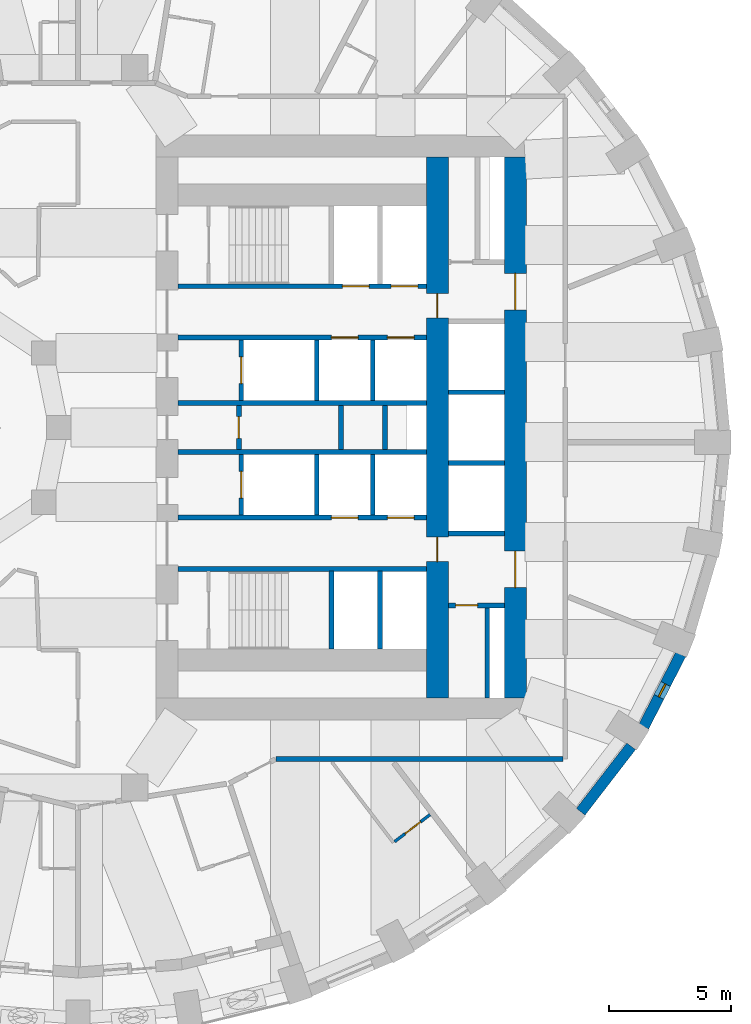
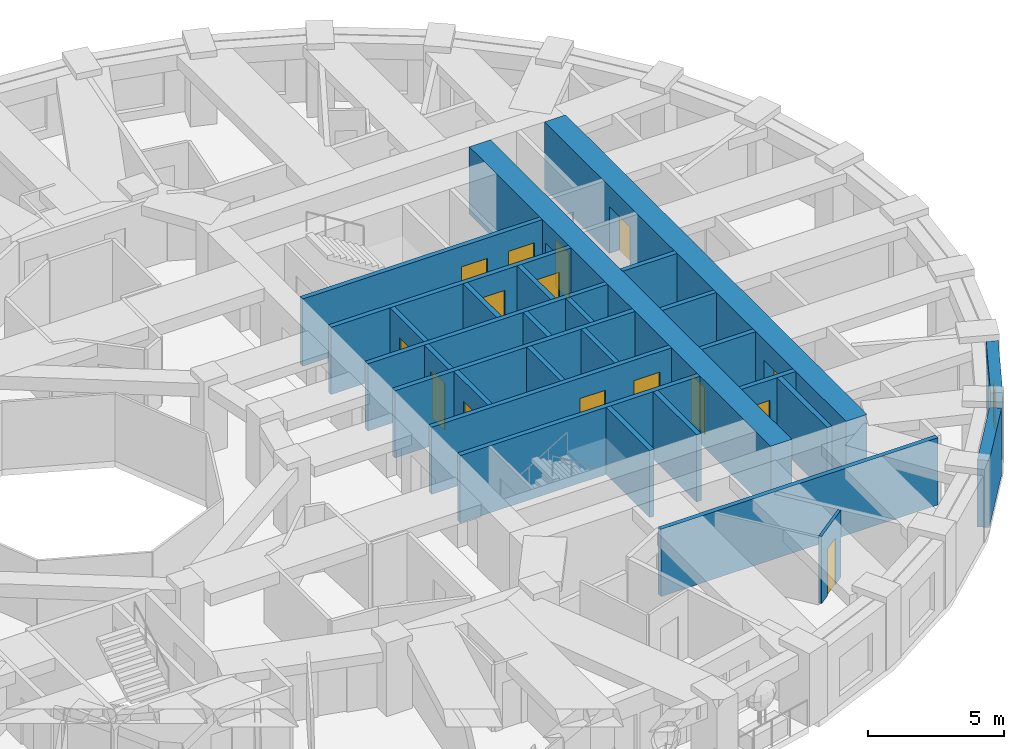
# One storey, part 6 of 13: 28 walls, 15 doors, 1 window, 16 openings.
"""IFC4 building model written with IfcOpenShell, lengths in metres."""

import ifcopenshell
import ifcopenshell.guid

model = None  # the IFC model being written
_history = None  # IfcOwnerHistory: only IFC2X3 demands one
_inside = {}  # id of a spatial element -> (the spatial element, [elements in it])
_under = {}  # id of a project, library or spatial element -> (it, [spatial elements below it])
_declared = {}  # id of a project -> (the project, [libraries it declares])
_typed = {}  # id of a type object -> (the type object, [elements of that type])
_made_of = {}  # id of a material, layer set ... -> (it, [elements and type objects made of it])


def new_model(schema):
    """Start an empty IFC model of exactly this schema.

    Asked for "IFC4X3", IfcOpenShell would pick the latest addendum, in which some entities
    have other attributes; the version numbers below select the first issue.
    IFC2X3 requires an IfcOwnerHistory on every rooted entity: one is made here for all.
    """
    global model, _history
    if schema == "IFC4X3":
        model = ifcopenshell.file(schema_version=(4, 3, 0, 0))
    else:
        model = ifcopenshell.file(schema=schema)
    _inside.clear()
    _under.clear()
    _declared.clear()
    _typed.clear()
    _made_of.clear()
    _history = None
    if model.schema == "IFC2X3":
        org = make("IfcOrganization", Name="unknown")
        user = make(
            "IfcPersonAndOrganization",
            ThePerson=make("IfcPerson", FamilyName="unknown"),
            TheOrganization=org,
        )
        app = make(
            "IfcApplication",
            ApplicationDeveloper=org,
            Version="unknown",
            ApplicationFullName="unknown",
            ApplicationIdentifier="unknown",
        )
        _history = make(
            "IfcOwnerHistory",
            OwningUser=user,
            OwningApplication=app,
            ChangeAction="ADDED",
            CreationDate=0,
        )
    return model


def make(cls, **values):
    """One entity of the class cls with the attributes given. An attribute that is None is left unset."""
    return model.create_entity(
        cls, **{name: value for name, value in values.items() if value is not None}
    )


def rooted(cls, **values):
    """An entity with a GlobalId (a new one), such as an element, a storey or a relation."""
    return make(cls, GlobalId=ifcopenshell.guid.new(), OwnerHistory=_history, **values)


def si_unit(unit_type, name, prefix=None):
    """IfcSIUnit, for example si_unit("LENGTHUNIT", "METRE", prefix="MILLI")."""
    return make("IfcSIUnit", UnitType=unit_type, Prefix=prefix, Name=name)


def assignment(units):
    """IfcUnitAssignment: the units of a project."""
    return None if units is None else make("IfcUnitAssignment", Units=units)


def point(xyz):
    """IfcCartesianPoint."""
    return None if xyz is None else make("IfcCartesianPoint", Coordinates=xyz)


def direction(xyz):
    """IfcDirection."""
    return None if xyz is None else make("IfcDirection", DirectionRatios=xyz)


def frame(location, z_axis=None, x_axis=None):
    """IfcAxis2Placement3D, a coordinate frame: its origin and axes. An axis left out is left unset."""
    return make(
        "IfcAxis2Placement3D",
        Location=point(location),
        Axis=direction(z_axis),
        RefDirection=direction(x_axis),
    )


def frame_2d(location, x_axis=None):
    """IfcAxis2Placement2D, a coordinate frame in the plane: its origin and x axis."""
    return make(
        "IfcAxis2Placement2D", Location=point(location), RefDirection=direction(x_axis)
    )


def origin():
    """The frame at (0, 0, 0) with its axes left unset."""
    return frame((0.0, 0.0, 0.0))


def place(relative_to, where):
    """IfcLocalPlacement: puts the frame where relative to a parent placement (None: the world)."""
    return make(
        "IfcLocalPlacement", PlacementRelTo=relative_to, RelativePlacement=where
    )


def context(
    kind, dimensions, precision=None, world=None, true_north=None, identifier=None
):
    """IfcGeometricRepresentationContext, for example the 3D "Model" context."""
    return make(
        "IfcGeometricRepresentationContext",
        ContextIdentifier=identifier,
        ContextType=kind,
        CoordinateSpaceDimension=dimensions,
        Precision=precision,
        WorldCoordinateSystem=world,
        TrueNorth=true_north,
    )


def subcontext(parent, identifier, kind, view, scale=None):
    """IfcGeometricRepresentationSubContext, for example "Body" below "Model"."""
    return make(
        "IfcGeometricRepresentationSubContext",
        ContextIdentifier=identifier,
        ContextType=kind,
        ParentContext=parent,
        TargetScale=scale,
        TargetView=view,
    )


def project(units=None, contexts=None):
    """IfcProject with its units and contexts."""
    return rooted(
        "IfcProject",
        Name="project",
        RepresentationContexts=contexts,
        UnitsInContext=assignment(units),
    )


def spatial(cls, under=None, at=None, **own):
    """A site, building, storey or space (cls), placed at a placement, below another one or the project."""
    s = rooted(cls, ObjectPlacement=at, **own)
    if under is not None:
        _under.setdefault(under.id(), (under, []))[1].append(s)
    return s


def profile(cls, at=None, kind="AREA", **sizes):
    """A parametric profile (cls). Its sizes go by their IFC names, for example OverallWidth=200.0."""
    return make(cls, ProfileType=kind, Position=at, **sizes)


def rectangle(**sizes):
    """IfcRectangleProfileDef."""
    return profile("IfcRectangleProfileDef", **sizes)


def extrude(swept, where, along, depth):
    """IfcExtrudedAreaSolid: the profile swept, set in the frame where, extruded along a direction by depth."""
    return make(
        "IfcExtrudedAreaSolid",
        SweptArea=swept,
        Position=where,
        ExtrudedDirection=direction(along),
        Depth=depth,
    )


def shape(context_of_items, identifier, shape_type, items):
    """IfcShapeRepresentation: the items that make up one representation, for example the "Body"."""
    return make(
        "IfcShapeRepresentation",
        ContextOfItems=context_of_items,
        RepresentationIdentifier=identifier,
        RepresentationType=shape_type,
        Items=items,
    )


def material(Name=None, Category=None):
    """IfcMaterial."""
    return make("IfcMaterial", Name=Name, Category=Category)


def layer(
    of_material, thickness, ventilated=None, Name=None, Category=None, Priority=None
):
    """IfcMaterialLayer: one layer of a wall or slab, of a material (None: an air gap)."""
    return make(
        "IfcMaterialLayer",
        Material=of_material,
        LayerThickness=thickness,
        IsVentilated=ventilated,
        Name=Name,
        Category=Category,
        Priority=Priority,
    )


def layer_set(layers, Name=None):
    """IfcMaterialLayerSet."""
    return make("IfcMaterialLayerSet", MaterialLayers=layers, LayerSetName=Name)


def made_of(thing, what):
    """Note that an element or type object is made of a material, layer set ...; save() writes the relation."""
    if what is not None:
        _made_of.setdefault(what.id(), (what, []))[1].append(thing)
    return thing


def type_object(cls, material=None, **own):
    """A type object (cls), such as IfcWallType, which elements share."""
    return made_of(rooted(cls, **own), material)


def element(
    cls,
    number,
    at=None,
    inside=None,
    cuts=None,
    type_object=None,
    material=None,
    context=None,
    identifier="Body",
    shape_type=None,
    held_by="IfcProductDefinitionShape",
    body=None,
    shapes=None,
    **own,
):
    """One element of the class cls, such as IfcWall. Its Tag is "e" and its number.

    at: its placement. inside: the storey or other place that contains it. cuts: it is an
    opening in that element (IfcRelVoidsElement). A single representation is given by context,
    identifier, shape_type and body (its items); several are given by shapes. held_by: the class
    of the entity that holds the representations. save() writes the other relations.
    """
    e = rooted(cls, Tag="e%d" % number, ObjectPlacement=at, **own)
    if body is not None:
        shapes = [shape(context, identifier, shape_type, body)]
    if shapes is not None:
        e.Representation = make(held_by, Representations=shapes)
    if inside is not None:
        _inside.setdefault(inside.id(), (inside, []))[1].append(e)
    if cuts is not None:
        rooted(
            "IfcRelVoidsElement", RelatingBuildingElement=cuts, RelatedOpeningElement=e
        )
    if type_object is not None:
        _typed.setdefault(type_object.id(), (type_object, []))[1].append(e)
    return made_of(e, material)


def fill(opening, filler):
    """IfcRelFillsElement: the door or window that sits in an opening."""
    return rooted(
        "IfcRelFillsElement",
        RelatingOpeningElement=opening,
        RelatedBuildingElement=filler,
    )


def aggregate(whole, parts):
    """IfcRelAggregates: a whole, such as a stair, and the parts it consists of."""
    return rooted("IfcRelAggregates", RelatingObject=whole, RelatedObjects=parts)


def save(model, path):
    """Write the relations noted so far, then the file.

    IfcRelAggregates (storeys below a building ...), IfcRelContainedInSpatialStructure (elements
    in a storey), IfcRelDefinesByType, IfcRelAssociatesMaterial and IfcRelDeclares: one each for
    every whole, place, type object, material and project.
    """
    for whole, parts in _under.values():
        aggregate(whole, parts)
    for where, things in _inside.values():
        rooted(
            "IfcRelContainedInSpatialStructure",
            RelatedElements=things,
            RelatingStructure=where,
        )
    for kind, things in _typed.values():
        rooted("IfcRelDefinesByType", RelatedObjects=things, RelatingType=kind)
    for what, things in _made_of.values():
        rooted("IfcRelAssociatesMaterial", RelatedObjects=things, RelatingMaterial=what)
    for by, libraries in _declared.values():
        rooted("IfcRelDeclares", RelatingContext=by, RelatedDefinitions=libraries)
    model.write(path)


model = new_model("IFC4")

# Units and contexts
model_context = context("Model", 3, precision=1e-05, world=origin(), true_north=direction((0.0, 1.0)))
body_context = subcontext(model_context, "Body", "Model", "MODEL_VIEW")
ifc_project = project(units=[si_unit("LENGTHUNIT", "METRE"), si_unit("AREAUNIT", "SQUARE_METRE"), si_unit("VOLUMEUNIT", "CUBIC_METRE"), si_unit("PLANEANGLEUNIT", "RADIAN"), si_unit("MASSUNIT", "GRAM", prefix="KILO")], contexts=[model_context])

# Site, building, storey
site_placement = place(None, origin())
site = spatial("IfcSite", under=ifc_project, at=site_placement, CompositionType="ELEMENT")
building_placement = place(site_placement, origin())
building = spatial("IfcBuilding", under=site, at=building_placement, Name="Taillehof Tower", CompositionType="ELEMENT")
storey_placement = place(building_placement, frame((0.0, 0.0, 108.699951171875)))
storey = spatial("IfcBuildingStorey", under=building, at=storey_placement, Name="L30", CompositionType="ELEMENT", Elevation=108.699951171875)

# Wall
ifc_material_1 = material(Name="Brick masonry", Category="masonry")
ifc_layer_1 = layer(ifc_material_1, 0.449951171875)
ifc_layer_set_1 = layer_set([ifc_layer_1], Name="Brick infill wall 450")
wall_type_1 = type_object("IfcWallType", Name="Brick infill wall 450", PredefinedType="SOLIDWALL", material=ifc_layer_set_1)
wall_1_placement = place(storey_placement, frame((21.43505859375, -15.775390625, 0.0), z_axis=(0.0, 0.0, 1.0), x_axis=(0.610693945156, 0.791866721961, 0.0)))
element("IfcWall", 1, at=wall_1_placement, inside=storey, type_object=wall_type_1, Name="Brick wall L30 bay 33", PredefinedType="SOLIDWALL", context=body_context, shape_type="SweptSolid", body=[
    extrude(rectangle(XDim=3.39453125, YDim=0.449951171875, at=frame_2d((1.697265625, 0.0))), origin(), (0.0, 0.0, 1.0), 3.02001953125),
])

# Wall, opening, window
wall_2_placement = place(storey_placement, frame((24.022705078125, -12.27685546875, 0.0), z_axis=(0.0, 0.0, 1.0), x_axis=(0.456828186229, 0.889554949549, 0.0)))
wall_2 = element("IfcWall", 2, at=wall_2_placement, inside=storey, type_object=wall_type_1, Name="Brick wall L30 bay 34", PredefinedType="SOLIDWALL", context=body_context, shape_type="SweptSolid", body=[
    extrude(rectangle(XDim=3.332763671875, YDim=0.449951171875, at=frame_2d((1.66650390625, 0.0))), origin(), (0.0, 0.0, 1.0), 3.02001953125),
])
opening_1_placement = place(wall_2_placement, frame((1.366455078125, 0.0, 0.39990234375)))
opening_1 = element("IfcOpeningElement", 3, at=opening_1_placement, cuts=wall_2, Name="Opening W6", PredefinedType="OPENING", context=body_context, shape_type="SweptSolid", body=[
    extrude(rectangle(XDim=0.60009765625, YDim=1.75, at=frame_2d((0.300048828125, 0.875))), frame((0.0, 0.23486328125, 0.0), z_axis=(0.0, -1.0, 0.0), x_axis=(1.0, 0.0, 0.0)), (0.0, 0.0, 1.0), 0.469970703125),
])
ifc_material_2 = material(Name="Aluminium window frame with clear double glazing", Category="aluminium")
window_type = type_object("IfcWindowType", Name="Slot window 600x1750", PartitioningType="SINGLE_PANEL", PredefinedType="WINDOW", material=ifc_material_2)
window_placement = place(opening_1_placement, origin())
window = element("IfcWindow", 4, at=window_placement, inside=storey, type_object=window_type, Name="W6", OverallHeight=1.75, OverallWidth=0.60009765625, PartitioningType="SINGLE_PANEL", PredefinedType="WINDOW", context=body_context, shape_type="SweptSolid", body=[
    extrude(rectangle(XDim=0.60009765625, YDim=1.75, at=frame_2d((0.300048828125, 0.875))), frame((0.0, 0.034912109375, 0.0), z_axis=(0.0, -1.0, 0.0), x_axis=(1.0, 0.0, 0.0)), (0.0, 0.0, 1.0), 0.06005859375),
])
fill(opening_1, window)

# Wall, opening, door
ifc_material_3 = material(Name="Calcium silicate masonry", Category="masonry")
ifc_layer_2 = layer(ifc_material_3, 0.199951171875)
ifc_layer_set_2 = layer_set([ifc_layer_2], Name="Compartment wall calcium silicate 200")
wall_type_2 = type_object("IfcWallType", Name="Compartment wall calcium silicate 200", PredefinedType="PARTITIONING", material=ifc_layer_set_2)
wall_3_placement = place(storey_placement, frame((7.39990234375, -0.89990234375, 0.0), z_axis=(0.0, 0.0, 1.0), x_axis=(0.0, 1.0, 0.0)))
wall_3 = element("IfcWall", 5, at=wall_3_placement, inside=storey, type_object=wall_type_2, Name="Compartment wall FW", PredefinedType="PARTITIONING", context=body_context, shape_type="SweptSolid", body=[
    extrude(rectangle(XDim=1.7998046875, YDim=0.199951171875, at=frame_2d((0.89990234375, 0.0))), origin(), (0.0, 0.0, 1.0), 3.02001953125),
])
opening_2_placement = place(wall_3_placement, frame((0.449951171875, 0.0, 0.0)))
opening_2 = element("IfcOpeningElement", 6, at=opening_2_placement, cuts=wall_3, Name="Opening D3014", PredefinedType="OPENING", context=body_context, shape_type="SweptSolid", body=[
    extrude(rectangle(XDim=0.89990234375, YDim=2.10009765625, at=frame_2d((0.449951171875, 1.050048828125))), frame((0.0, 0.10986328125, 0.0), z_axis=(0.0, -1.0, 0.0), x_axis=(1.0, 0.0, 0.0)), (0.0, 0.0, 1.0), 0.219970703125),
])
ifc_material_4 = material(Name="Steel-faced fire door", Category="steel")
door_type_1 = type_object("IfcDoorType", Name="Riser and service room door 900x2100", OperationType="SINGLE_SWING_LEFT", PredefinedType="DOOR", material=ifc_material_4)
door_1_placement = place(opening_2_placement, origin())
door_1 = element("IfcDoor", 7, at=door_1_placement, inside=storey, type_object=door_type_1, Name="Door Comms Room", OperationType="SINGLE_SWING_RIGHT", OverallHeight=2.10009765625, OverallWidth=0.89990234375, PredefinedType="DOOR", context=body_context, shape_type="SweptSolid", body=[
    extrude(rectangle(XDim=0.89990234375, YDim=2.10009765625, at=frame_2d((0.449951171875, 1.050048828125))), frame((0.0, 0.02490234375, 0.0), z_axis=(0.0, -1.0, 0.0), x_axis=(1.0, 0.0, 0.0)), (0.0, 0.0, 1.0), 0.050048828125),
])
fill(opening_2, door_1)

# Walls
for number, where, z_axis, x_axis, name in (
    (8, (11.60009765625, -0.89990234375, 0.0), (0.0, 0.0, 1.0), (0.0, 1.0, 0.0), "Compartment wall FW"),
    (9, (13.39990234375, -0.89990234375, 0.0), (0.0, 0.0, 1.0), (0.0, 1.0, 0.0), "Compartment wall FW"),
):
    element("IfcWall", number, at=place(storey_placement, frame(where, z_axis=z_axis, x_axis=x_axis)), inside=storey, type_object=wall_type_2, Name=name, PredefinedType="PARTITIONING", context=body_context, shape_type="SweptSolid", body=[
        extrude(rectangle(XDim=1.7998046875, YDim=0.199951171875, at=frame_2d((0.89990234375, 0.0))), origin(), (0.0, 0.0, 1.0), 3.02001953125),
    ])

# Wall, opening, door
wall_4_placement = place(storey_placement, frame((16.0, -7.300048828125, 0.0), z_axis=(0.0, 0.0, 1.0), x_axis=(1.0, 0.0, 0.0)))
wall_4 = element("IfcWall", 10, at=wall_4_placement, inside=storey, type_object=wall_type_2, Name="Compartment wall FW", PredefinedType="PARTITIONING", context=body_context, shape_type="SweptSolid", body=[
    extrude(rectangle(XDim=2.300048828125, YDim=0.199951171875, at=frame_2d((1.14990234375, 0.0))), origin(), (0.0, 0.0, 1.0), 3.02001953125),
])
opening_3_placement = place(wall_4_placement, frame((0.300048828125, 0.0, 0.0)))
opening_3 = element("IfcOpeningElement", 11, at=opening_3_placement, cuts=wall_4, Name="Opening D3018", PredefinedType="OPENING", context=body_context, shape_type="SweptSolid", body=[
    extrude(rectangle(XDim=0.89990234375, YDim=2.10009765625, at=frame_2d((0.449951171875, 1.050048828125))), frame((0.0, 0.10986328125, 0.0), z_axis=(0.0, -1.0, 0.0), x_axis=(1.0, 0.0, 0.0)), (0.0, 0.0, 1.0), 0.219970703125),
])
door_2_placement = place(opening_3_placement, origin())
door_2 = element("IfcDoor", 12, at=door_2_placement, inside=storey, type_object=door_type_1, Name="Door Linen Store", OperationType="SINGLE_SWING_LEFT", OverallHeight=2.10009765625, OverallWidth=0.89990234375, PredefinedType="DOOR", context=body_context, shape_type="SweptSolid", body=[
    extrude(rectangle(XDim=0.89990234375, YDim=2.10009765625, at=frame_2d((0.449951171875, 1.050048828125))), frame((0.0, 0.02490234375, 0.0), z_axis=(0.0, -1.0, 0.0), x_axis=(1.0, 0.0, 0.0)), (0.0, 0.0, 1.0), 0.050048828125),
])
fill(opening_3, door_2)

# Walls
wall_5_placement = place(storey_placement, frame((17.60009765625, -11.10009765625, 0.0), z_axis=(0.0, 0.0, 1.0), x_axis=(0.0, 1.0, 0.0)))
element("IfcWall", 13, at=wall_5_placement, inside=storey, type_object=wall_type_2, Name="Compartment wall FW", PredefinedType="PARTITIONING", context=body_context, shape_type="SweptSolid", body=[
    extrude(rectangle(XDim=3.7001953125, YDim=0.199951171875, at=frame_2d((1.85009765625, 0.0))), origin(), (0.0, 0.0, 1.0), 3.02001953125),
])
ifc_material_5 = material(Name="Gypsum board on steel studs, two layers each side", Category="steel")
ifc_layer_3 = layer(ifc_material_5, 0.199951171875)
ifc_layer_set_3 = layer_set([ifc_layer_3], Name="Compartment wall corridor 200")
wall_type_3 = type_object("IfcWallType", Name="Compartment wall corridor 200", PredefinedType="PARTITIONING", material=ifc_layer_set_3)
wall_6_placement = place(storey_placement, frame((20.699951171875, -13.60009765625, 0.0), z_axis=(0.0, 0.0, 1.0), x_axis=(-1.0, 0.0, 0.0)))
element("IfcWall", 14, at=wall_6_placement, inside=storey, type_object=wall_type_3, Name="Compartment wall", PredefinedType="PARTITIONING", context=body_context, shape_type="SweptSolid", body=[
    extrude(rectangle(XDim=11.77197265625, YDim=0.199951171875, at=frame_2d((5.885986328125, 0.0))), origin(), (0.0, 0.0, 1.0), 3.02001953125),
])

# Wall, openings, doors
ifc_material_6 = material(Name="Concrete C80/95", Category="concrete")
ifc_layer_4 = layer(ifc_material_6, 0.89990234375)
ifc_layer_set_4 = layer_set([ifc_layer_4], Name="Core wall C80/95 900")
wall_type_4 = type_object("IfcWallType", Name="Core wall C80/95 900", PredefinedType="SHEAR", material=ifc_layer_set_4)
wall_7_placement = place(storey_placement, frame((18.75, -11.10009765625, 0.0), z_axis=(0.0, 0.0, 1.0), x_axis=(0.0, 1.0, 0.0)))
wall_7 = element("IfcWall", 15, at=wall_7_placement, inside=storey, type_object=wall_type_4, Name="Core wall CW02", PredefinedType="SHEAR", context=body_context, shape_type="SweptSolid", body=[
    extrude(rectangle(XDim=22.2001953125, YDim=0.89990234375, at=frame_2d((11.10009765625, 0.0))), origin(), (0.0, 0.0, 1.0), 3.02001953125),
])
opening_4_placement = place(wall_7_placement, frame((15.925048828125, 0.0, 0.0)))
opening_4 = element("IfcOpeningElement", 16, at=opening_4_placement, cuts=wall_7, Name="Opening D3008", PredefinedType="OPENING", context=body_context, shape_type="SweptSolid", body=[
    extrude(rectangle(XDim=1.5, YDim=2.10009765625, at=frame_2d((0.75, 1.050048828125))), frame((0.0, 0.4599609375, 0.0), z_axis=(0.0, -1.0, 0.0), x_axis=(1.0, 0.0, 0.0)), (0.0, 0.0, 1.0), 0.919921875),
])
opening_5_placement = place(wall_7_placement, frame((4.52490234375, 0.0, 0.0)))
opening_5 = element("IfcOpeningElement", 17, at=opening_5_placement, cuts=wall_7, Name="Opening D3009", PredefinedType="OPENING", context=body_context, shape_type="SweptSolid", body=[
    extrude(rectangle(XDim=1.5, YDim=2.10009765625, at=frame_2d((0.75, 1.050048828125))), frame((0.0, 0.4599609375, 0.0), z_axis=(0.0, -1.0, 0.0), x_axis=(1.0, 0.0, 0.0)), (0.0, 0.0, 1.0), 0.919921875),
])
ifc_material_7 = material(Name="Steel-faced fire door", Category="steel")
door_type_2 = type_object("IfcDoorType", Name="Lift lobby east door 1500x2100", OperationType="DOUBLE_DOOR_SINGLE_SWING", PredefinedType="DOOR", material=ifc_material_7)
door_3_placement = place(opening_4_placement, origin())
door_3 = element("IfcDoor", 18, at=door_3_placement, inside=storey, type_object=door_type_2, Name="Lift lobby east door north", OperationType="DOUBLE_DOOR_SINGLE_SWING", OverallHeight=2.10009765625, OverallWidth=1.5, PredefinedType="DOOR", context=body_context, shape_type="SweptSolid", body=[
    extrude(rectangle(XDim=1.5, YDim=2.10009765625, at=frame_2d((0.75, 1.050048828125))), frame((0.0, 0.02490234375, 0.0), z_axis=(0.0, -1.0, 0.0), x_axis=(1.0, 0.0, 0.0)), (0.0, 0.0, 1.0), 0.050048828125),
])
fill(opening_4, door_3)
door_4_placement = place(opening_5_placement, origin())
door_4 = element("IfcDoor", 19, at=door_4_placement, inside=storey, type_object=door_type_2, Name="Lift lobby east door south", OperationType="DOUBLE_DOOR_SINGLE_SWING", OverallHeight=2.10009765625, OverallWidth=1.5, PredefinedType="DOOR", context=body_context, shape_type="SweptSolid", body=[
    extrude(rectangle(XDim=1.5, YDim=2.10009765625, at=frame_2d((0.75, 1.050048828125))), frame((0.0, 0.02490234375, 0.0), z_axis=(0.0, -1.0, 0.0), x_axis=(1.0, 0.0, 0.0)), (0.0, 0.0, 1.0), 0.050048828125),
])
fill(opening_5, door_4)

wall_8_placement = place(storey_placement, frame((15.550048828125, -11.10009765625, 0.0), z_axis=(0.0, 0.0, 1.0), x_axis=(0.0, 1.0, 0.0)))
wall_8 = element("IfcWall", 20, at=wall_8_placement, inside=storey, type_object=wall_type_4, Name="Core wall CW05", PredefinedType="SHEAR", context=body_context, shape_type="SweptSolid", body=[
    extrude(rectangle(XDim=22.2001953125, YDim=0.89990234375, at=frame_2d((11.10009765625, 0.0))), origin(), (0.0, 0.0, 1.0), 3.02001953125),
])
opening_6_placement = place(wall_8_placement, frame((15.60009765625, 0.0, 0.0)))
opening_6 = element("IfcOpeningElement", 21, at=opening_6_placement, cuts=wall_8, Name="Opening D3015", PredefinedType="OPENING", context=body_context, shape_type="SweptSolid", body=[
    extrude(rectangle(XDim=1.0, YDim=2.10009765625, at=frame_2d((0.5, 1.050048828125))), frame((0.0, 0.4599609375, 0.0), z_axis=(0.0, -1.0, 0.0), x_axis=(1.0, 0.0, 0.0)), (0.0, 0.0, 1.0), 0.919921875),
])
opening_7_placement = place(wall_8_placement, frame((5.60009765625, 0.0, 0.0)))
opening_7 = element("IfcOpeningElement", 22, at=opening_7_placement, cuts=wall_8, Name="Opening D3017", PredefinedType="OPENING", context=body_context, shape_type="SweptSolid", body=[
    extrude(rectangle(XDim=1.0, YDim=2.10009765625, at=frame_2d((0.5, 1.050048828125))), frame((0.0, 0.4599609375, 0.0), z_axis=(0.0, -1.0, 0.0), x_axis=(1.0, 0.0, 0.0)), (0.0, 0.0, 1.0), 0.919921875),
])
ifc_material_8 = material(Name="Steel-faced fire door", Category="steel")
door_type_3 = type_object("IfcDoorType", Name="Service door 1000x2100", OperationType="SINGLE_SWING_RIGHT", PredefinedType="DOOR", material=ifc_material_8)
door_5_placement = place(opening_6_placement, origin())
door_5 = element("IfcDoor", 23, at=door_5_placement, inside=storey, type_object=door_type_3, Name="Service door strip", OperationType="SINGLE_SWING_RIGHT", OverallHeight=2.10009765625, OverallWidth=1.0, PredefinedType="DOOR", context=body_context, shape_type="SweptSolid", body=[
    extrude(rectangle(XDim=1.0, YDim=2.10009765625, at=frame_2d((0.5, 1.050048828125))), frame((0.0, 0.02490234375, 0.0), z_axis=(0.0, -1.0, 0.0), x_axis=(1.0, 0.0, 0.0)), (0.0, 0.0, 1.0), 0.050048828125),
])
fill(opening_6, door_5)
door_6_placement = place(opening_7_placement, origin())
door_6 = element("IfcDoor", 24, at=door_6_placement, inside=storey, type_object=door_type_3, Name="Service door strip", OperationType="SINGLE_SWING_LEFT", OverallHeight=2.10009765625, OverallWidth=1.0, PredefinedType="DOOR", context=body_context, shape_type="SweptSolid", body=[
    extrude(rectangle(XDim=1.0, YDim=2.10009765625, at=frame_2d((0.5, 1.050048828125))), frame((0.0, 0.02490234375, 0.0), z_axis=(0.0, -1.0, 0.0), x_axis=(1.0, 0.0, 0.0)), (0.0, 0.0, 1.0), 0.050048828125),
])
fill(opening_7, door_6)

# Wall, opening, door
ifc_material_9 = material(Name="Gypsum board on steel studs, moisture resistant", Category="steel")
ifc_layer_5 = layer(ifc_material_9, 0.1201171875)
ifc_layer_set_5 = layer_set([ifc_layer_5], Name="En-suite wall 120")
wall_type_5 = type_object("IfcWallType", Name="En-suite wall 120", PredefinedType="PARTITIONING", material=ifc_layer_set_5)
wall_9_placement = place(storey_placement, frame((13.793701171875, -17.00244140625, 0.0), z_axis=(0.0, 0.0, 1.0), x_axis=(0.794653128783, 0.607063756878, 0.0)))
wall_9 = element("IfcWall", 25, at=wall_9_placement, inside=storey, type_object=wall_type_5, Name="En-suite wall", PredefinedType="PARTITIONING", context=body_context, shape_type="SweptSolid", body=[
    extrude(rectangle(XDim=1.829833984375, YDim=0.1201171875, at=frame_2d((0.9150390625, 0.0))), origin(), (0.0, 0.0, 1.0), 3.02001953125),
])
opening_8_placement = place(wall_9_placement, frame((0.539794921875, 0.0, 0.0)))
opening_8 = element("IfcOpeningElement", 26, at=opening_8_placement, cuts=wall_9, Name="Opening D3063", PredefinedType="OPENING", context=body_context, shape_type="SweptSolid", body=[
    extrude(rectangle(XDim=0.800048828125, YDim=2.10009765625, at=frame_2d((0.39990234375, 1.050048828125))), frame((0.0, 0.070068359375, 0.0), z_axis=(0.0, -1.0, 0.0), x_axis=(1.0, 0.0, 0.0)), (0.0, 0.0, 1.0), 0.14013671875),
])
ifc_material_10 = material(Name="Timber door leaf in steel frame", Category="steel")
door_type_4 = type_object("IfcDoorType", Name="En-suite door 800 x 2100", OperationType="SINGLE_SWING_LEFT", PredefinedType="DOOR", material=ifc_material_10)
door_7_placement = place(opening_8_placement, origin())
door_7 = element("IfcDoor", 27, at=door_7_placement, inside=storey, type_object=door_type_4, Name="D3063", OperationType="SINGLE_SWING_LEFT", OverallHeight=2.10009765625, OverallWidth=0.800048828125, PredefinedType="DOOR", context=body_context, shape_type="SweptSolid", body=[
    extrude(rectangle(XDim=0.800048828125, YDim=2.10009765625, at=frame_2d((0.39990234375, 1.050048828125))), frame((0.0, 0.02490234375, 0.0), z_axis=(0.0, -1.0, 0.0), x_axis=(1.0, 0.0, 0.0)), (0.0, 0.0, 1.0), 0.050048828125),
])
fill(opening_8, door_7)

# Wall, openings, doors
ifc_material_11 = material(Name="Concrete C50/60", Category="concrete")
ifc_layer_6 = layer(ifc_material_11, 0.199951171875)
ifc_layer_set_6 = layer_set([ifc_layer_6], Name="Shaft wall C50/60 200")
wall_type_6 = type_object("IfcWallType", Name="Shaft wall C50/60 200", PredefinedType="SHEAR", material=ifc_layer_set_6)
wall_10_placement = place(storey_placement, frame((4.89990234375, 5.800048828125, 0.0), z_axis=(0.0, 0.0, 1.0), x_axis=(1.0, 0.0, 0.0)))
wall_10 = element("IfcWall", 28, at=wall_10_placement, inside=storey, type_object=wall_type_6, Name="Shaft wall SW", PredefinedType="SHEAR", context=body_context, shape_type="SweptSolid", body=[
    extrude(rectangle(XDim=10.2001953125, YDim=0.199951171875, at=frame_2d((5.10009765625, 0.0))), origin(), (0.0, 0.0, 1.0), 3.02001953125),
])
opening_9_placement = place(wall_10_placement, frame((6.75, 0.0, 0.0)))
opening_9 = element("IfcOpeningElement", 29, at=opening_9_placement, cuts=wall_10, Name="Opening LD1", PredefinedType="OPENING", context=body_context, shape_type="SweptSolid", body=[
    extrude(rectangle(XDim=1.10009765625, YDim=2.10009765625, at=frame_2d((0.550048828125, 1.050048828125))), frame((0.0, 0.10986328125, 0.0), z_axis=(0.0, -1.0, 0.0), x_axis=(1.0, 0.0, 0.0)), (0.0, 0.0, 1.0), 0.219970703125),
])
opening_10_placement = place(wall_10_placement, frame((8.75, 0.0, 0.0)))
opening_10 = element("IfcOpeningElement", 30, at=opening_10_placement, cuts=wall_10, Name="Opening LD1", PredefinedType="OPENING", context=body_context, shape_type="SweptSolid", body=[
    extrude(rectangle(XDim=1.10009765625, YDim=2.10009765625, at=frame_2d((0.550048828125, 1.050048828125))), frame((0.0, 0.10986328125, 0.0), z_axis=(0.0, -1.0, 0.0), x_axis=(1.0, 0.0, 0.0)), (0.0, 0.0, 1.0), 0.219970703125),
])
ifc_material_12 = material(Name="Stainless steel", Category="steel")
door_type_5 = type_object("IfcDoorType", Name="Lift landing door LD1 1100x2100", OperationType="DOUBLE_DOOR_SLIDING", PredefinedType="DOOR", material=ifc_material_12)
door_8_placement = place(opening_9_placement, origin())
door_8 = element("IfcDoor", 31, at=door_8_placement, inside=storey, type_object=door_type_5, Name="Landing door LR1", OperationType="DOUBLE_DOOR_SLIDING", OverallHeight=2.10009765625, OverallWidth=1.10009765625, PredefinedType="DOOR", context=body_context, shape_type="SweptSolid", body=[
    extrude(rectangle(XDim=1.10009765625, YDim=2.10009765625, at=frame_2d((0.550048828125, 1.050048828125))), frame((0.0, 0.02490234375, 0.0), z_axis=(0.0, -1.0, 0.0), x_axis=(1.0, 0.0, 0.0)), (0.0, 0.0, 1.0), 0.050048828125),
])
fill(opening_9, door_8)
door_9_placement = place(opening_10_placement, origin())
door_9 = element("IfcDoor", 32, at=door_9_placement, inside=storey, type_object=door_type_5, Name="Landing door LR2", OperationType="DOUBLE_DOOR_SLIDING", OverallHeight=2.10009765625, OverallWidth=1.10009765625, PredefinedType="DOOR", context=body_context, shape_type="SweptSolid", body=[
    extrude(rectangle(XDim=1.10009765625, YDim=2.10009765625, at=frame_2d((0.550048828125, 1.050048828125))), frame((0.0, 0.02490234375, 0.0), z_axis=(0.0, -1.0, 0.0), x_axis=(1.0, 0.0, 0.0)), (0.0, 0.0, 1.0), 0.050048828125),
])
fill(opening_10, door_9)

wall_11_placement = place(storey_placement, frame((4.89990234375, 3.699951171875, 0.0), z_axis=(0.0, 0.0, 1.0), x_axis=(1.0, 0.0, 0.0)))
wall_11 = element("IfcWall", 33, at=wall_11_placement, inside=storey, type_object=wall_type_6, Name="Shaft wall SW", PredefinedType="SHEAR", context=body_context, shape_type="SweptSolid", body=[
    extrude(rectangle(XDim=10.2001953125, YDim=0.199951171875, at=frame_2d((5.10009765625, 0.0))), origin(), (0.0, 0.0, 1.0), 3.02001953125),
])
opening_11_placement = place(wall_11_placement, frame((6.300048828125, 0.0, 0.0)))
opening_11 = element("IfcOpeningElement", 34, at=opening_11_placement, cuts=wall_11, Name="Opening LD1", PredefinedType="OPENING", context=body_context, shape_type="SweptSolid", body=[
    extrude(rectangle(XDim=1.10009765625, YDim=2.10009765625, at=frame_2d((0.550048828125, 1.050048828125))), frame((0.0, 0.10986328125, 0.0), z_axis=(0.0, -1.0, 0.0), x_axis=(1.0, 0.0, 0.0)), (0.0, 0.0, 1.0), 0.219970703125),
])
opening_12_placement = place(wall_11_placement, frame((8.60009765625, 0.0, 0.0)))
opening_12 = element("IfcOpeningElement", 35, at=opening_12_placement, cuts=wall_11, Name="Opening LD1", PredefinedType="OPENING", context=body_context, shape_type="SweptSolid", body=[
    extrude(rectangle(XDim=1.10009765625, YDim=2.10009765625, at=frame_2d((0.550048828125, 1.050048828125))), frame((0.0, 0.10986328125, 0.0), z_axis=(0.0, -1.0, 0.0), x_axis=(1.0, 0.0, 0.0)), (0.0, 0.0, 1.0), 0.219970703125),
])
door_10_placement = place(opening_11_placement, origin())
door_10 = element("IfcDoor", 36, at=door_10_placement, inside=storey, type_object=door_type_5, Name="Landing door LR3", OperationType="DOUBLE_DOOR_SLIDING", OverallHeight=2.10009765625, OverallWidth=1.10009765625, PredefinedType="DOOR", context=body_context, shape_type="SweptSolid", body=[
    extrude(rectangle(XDim=1.10009765625, YDim=2.10009765625, at=frame_2d((0.550048828125, 1.050048828125))), frame((0.0, 0.02490234375, 0.0), z_axis=(0.0, -1.0, 0.0), x_axis=(1.0, 0.0, 0.0)), (0.0, 0.0, 1.0), 0.050048828125),
])
fill(opening_11, door_10)
door_11_placement = place(opening_12_placement, origin())
door_11 = element("IfcDoor", 37, at=door_11_placement, inside=storey, type_object=door_type_5, Name="Landing door LR4", OperationType="DOUBLE_DOOR_SLIDING", OverallHeight=2.10009765625, OverallWidth=1.10009765625, PredefinedType="DOOR", context=body_context, shape_type="SweptSolid", body=[
    extrude(rectangle(XDim=1.10009765625, YDim=2.10009765625, at=frame_2d((0.550048828125, 1.050048828125))), frame((0.0, 0.02490234375, 0.0), z_axis=(0.0, -1.0, 0.0), x_axis=(1.0, 0.0, 0.0)), (0.0, 0.0, 1.0), 0.050048828125),
])
fill(opening_12, door_11)

# Walls
for number, where, z_axis, x_axis, name in (
    (38, (4.89990234375, 1.0, 0.0), (0.0, 0.0, 1.0), (1.0, 0.0, 0.0), "Shaft wall SW"),
    (39, (4.89990234375, -1.0, 0.0), (0.0, 0.0, 1.0), (1.0, 0.0, 0.0), "Shaft wall SW"),
):
    element("IfcWall", number, at=place(storey_placement, frame(where, z_axis=z_axis, x_axis=x_axis)), inside=storey, type_object=wall_type_6, Name=name, PredefinedType="SHEAR", context=body_context, shape_type="SweptSolid", body=[
        extrude(rectangle(XDim=10.2001953125, YDim=0.199951171875, at=frame_2d((5.10009765625, 0.0))), origin(), (0.0, 0.0, 1.0), 3.02001953125),
    ])

# Wall, openings, doors
wall_12_placement = place(storey_placement, frame((4.89990234375, -3.699951171875, 0.0), z_axis=(0.0, 0.0, 1.0), x_axis=(1.0, 0.0, 0.0)))
wall_12 = element("IfcWall", 40, at=wall_12_placement, inside=storey, type_object=wall_type_6, Name="Shaft wall SW", PredefinedType="SHEAR", context=body_context, shape_type="SweptSolid", body=[
    extrude(rectangle(XDim=10.2001953125, YDim=0.199951171875, at=frame_2d((5.10009765625, 0.0))), origin(), (0.0, 0.0, 1.0), 3.02001953125),
])
opening_13_placement = place(wall_12_placement, frame((6.300048828125, 0.0, 0.0)))
opening_13 = element("IfcOpeningElement", 41, at=opening_13_placement, cuts=wall_12, Name="Opening LD1", PredefinedType="OPENING", context=body_context, shape_type="SweptSolid", body=[
    extrude(rectangle(XDim=1.10009765625, YDim=2.10009765625, at=frame_2d((0.550048828125, 1.050048828125))), frame((0.0, 0.10986328125, 0.0), z_axis=(0.0, -1.0, 0.0), x_axis=(1.0, 0.0, 0.0)), (0.0, 0.0, 1.0), 0.219970703125),
])
opening_14_placement = place(wall_12_placement, frame((8.60009765625, 0.0, 0.0)))
opening_14 = element("IfcOpeningElement", 42, at=opening_14_placement, cuts=wall_12, Name="Opening LD1", PredefinedType="OPENING", context=body_context, shape_type="SweptSolid", body=[
    extrude(rectangle(XDim=1.10009765625, YDim=2.10009765625, at=frame_2d((0.550048828125, 1.050048828125))), frame((0.0, 0.10986328125, 0.0), z_axis=(0.0, -1.0, 0.0), x_axis=(1.0, 0.0, 0.0)), (0.0, 0.0, 1.0), 0.219970703125),
])
door_12_placement = place(opening_13_placement, origin())
door_12 = element("IfcDoor", 43, at=door_12_placement, inside=storey, type_object=door_type_5, Name="Landing door LR5", OperationType="DOUBLE_DOOR_SLIDING", OverallHeight=2.10009765625, OverallWidth=1.10009765625, PredefinedType="DOOR", context=body_context, shape_type="SweptSolid", body=[
    extrude(rectangle(XDim=1.10009765625, YDim=2.10009765625, at=frame_2d((0.550048828125, 1.050048828125))), frame((0.0, 0.02490234375, 0.0), z_axis=(0.0, -1.0, 0.0), x_axis=(1.0, 0.0, 0.0)), (0.0, 0.0, 1.0), 0.050048828125),
])
fill(opening_13, door_12)
door_13_placement = place(opening_14_placement, origin())
door_13 = element("IfcDoor", 44, at=door_13_placement, inside=storey, type_object=door_type_5, Name="Landing door LR6", OperationType="DOUBLE_DOOR_SLIDING", OverallHeight=2.10009765625, OverallWidth=1.10009765625, PredefinedType="DOOR", context=body_context, shape_type="SweptSolid", body=[
    extrude(rectangle(XDim=1.10009765625, YDim=2.10009765625, at=frame_2d((0.550048828125, 1.050048828125))), frame((0.0, 0.02490234375, 0.0), z_axis=(0.0, -1.0, 0.0), x_axis=(1.0, 0.0, 0.0)), (0.0, 0.0, 1.0), 0.050048828125),
])
fill(opening_14, door_13)

# Walls
wall_13_placement = place(storey_placement, frame((4.89990234375, -5.800048828125, 0.0), z_axis=(0.0, 0.0, 1.0), x_axis=(1.0, 0.0, 0.0)))
element("IfcWall", 45, at=wall_13_placement, inside=storey, type_object=wall_type_6, Name="Shaft wall SW", PredefinedType="SHEAR", context=body_context, shape_type="SweptSolid", body=[
    extrude(rectangle(XDim=10.2001953125, YDim=0.199951171875, at=frame_2d((5.10009765625, 0.0))), origin(), (0.0, 0.0, 1.0), 3.02001953125),
])
for number, where, z_axis, x_axis, name in (
    (46, (11.199951171875, -9.10009765625, 0.0), (0.0, 0.0, 1.0), (0.0, 1.0, 0.0), "Shaft wall SW"),
    (47, (13.199951171875, -9.10009765625, 0.0), (0.0, 0.0, 1.0), (0.0, 1.0, 0.0), "Shaft wall SW"),
):
    element("IfcWall", number, at=place(storey_placement, frame(where, z_axis=z_axis, x_axis=x_axis)), inside=storey, type_object=wall_type_6, Name=name, PredefinedType="SHEAR", context=body_context, shape_type="SweptSolid", body=[
        extrude(rectangle(XDim=3.2001953125, YDim=0.199951171875, at=frame_2d((1.60009765625, 0.0))), origin(), (0.0, 0.0, 1.0), 3.02001953125),
    ])

# Wall, opening, door
wall_14_placement = place(storey_placement, frame((7.5, 1.10009765625, 0.0), z_axis=(0.0, 0.0, 1.0), x_axis=(0.0, 1.0, 0.0)))
wall_14 = element("IfcWall", 48, at=wall_14_placement, inside=storey, type_object=wall_type_6, Name="Shaft wall SW", PredefinedType="SHEAR", context=body_context, shape_type="SweptSolid", body=[
    extrude(rectangle(XDim=2.5, YDim=0.199951171875, at=frame_2d((1.25, 0.0))), origin(), (0.0, 0.0, 1.0), 3.02001953125),
])
opening_15_placement = place(wall_14_placement, frame((0.699951171875, 0.0, 0.0)))
opening_15 = element("IfcOpeningElement", 49, at=opening_15_placement, cuts=wall_14, Name="Opening LD1", PredefinedType="OPENING", context=body_context, shape_type="SweptSolid", body=[
    extrude(rectangle(XDim=1.10009765625, YDim=2.10009765625, at=frame_2d((0.550048828125, 1.050048828125))), frame((0.0, 0.10986328125, 0.0), z_axis=(0.0, -1.0, 0.0), x_axis=(1.0, 0.0, 0.0)), (0.0, 0.0, 1.0), 0.219970703125),
])
door_14_placement = place(opening_15_placement, origin())
door_14 = element("IfcDoor", 50, at=door_14_placement, inside=storey, type_object=door_type_5, Name="Landing door FF1", OperationType="DOUBLE_DOOR_SLIDING", OverallHeight=2.10009765625, OverallWidth=1.10009765625, PredefinedType="DOOR", context=body_context, shape_type="SweptSolid", body=[
    extrude(rectangle(XDim=1.10009765625, YDim=2.10009765625, at=frame_2d((0.550048828125, 1.050048828125))), frame((0.0, 0.02490234375, 0.0), z_axis=(0.0, -1.0, 0.0), x_axis=(1.0, 0.0, 0.0)), (0.0, 0.0, 1.0), 0.050048828125),
])
fill(opening_15, door_14)

wall_15_placement = place(storey_placement, frame((7.5, -3.60009765625, 0.0), z_axis=(0.0, 0.0, 1.0), x_axis=(0.0, 1.0, 0.0)))
wall_15 = element("IfcWall", 51, at=wall_15_placement, inside=storey, type_object=wall_type_6, Name="Shaft wall SW", PredefinedType="SHEAR", context=body_context, shape_type="SweptSolid", body=[
    extrude(rectangle(XDim=2.5, YDim=0.199951171875, at=frame_2d((1.25, 0.0))), origin(), (0.0, 0.0, 1.0), 3.02001953125),
])
opening_16_placement = place(wall_15_placement, frame((0.699951171875, 0.0, 0.0)))
opening_16 = element("IfcOpeningElement", 52, at=opening_16_placement, cuts=wall_15, Name="Opening LD1", PredefinedType="OPENING", context=body_context, shape_type="SweptSolid", body=[
    extrude(rectangle(XDim=1.10009765625, YDim=2.10009765625, at=frame_2d((0.550048828125, 1.050048828125))), frame((0.0, 0.10986328125, 0.0), z_axis=(0.0, -1.0, 0.0), x_axis=(1.0, 0.0, 0.0)), (0.0, 0.0, 1.0), 0.219970703125),
])
door_15_placement = place(opening_16_placement, origin())
door_15 = element("IfcDoor", 53, at=door_15_placement, inside=storey, type_object=door_type_5, Name="Landing door FF2", OperationType="DOUBLE_DOOR_SLIDING", OverallHeight=2.10009765625, OverallWidth=1.10009765625, PredefinedType="DOOR", context=body_context, shape_type="SweptSolid", body=[
    extrude(rectangle(XDim=1.10009765625, YDim=2.10009765625, at=frame_2d((0.550048828125, 1.050048828125))), frame((0.0, 0.02490234375, 0.0), z_axis=(0.0, -1.0, 0.0), x_axis=(1.0, 0.0, 0.0)), (0.0, 0.0, 1.0), 0.050048828125),
])
fill(opening_16, door_15)

# Walls
for number, where, z_axis, x_axis, name in (
    (54, (10.60009765625, 1.10009765625, 0.0), (0.0, 0.0, 1.0), (0.0, 1.0, 0.0), "Shaft wall SW"),
    (55, (10.60009765625, -3.60009765625, 0.0), (0.0, 0.0, 1.0), (0.0, 1.0, 0.0), "Shaft wall SW"),
    (56, (12.89990234375, 1.10009765625, 0.0), (0.0, 0.0, 1.0), (0.0, 1.0, 0.0), "Shaft wall SW"),
    (57, (12.89990234375, -3.60009765625, 0.0), (0.0, 0.0, 1.0), (0.0, 1.0, 0.0), "Shaft wall SW"),
):
    element("IfcWall", number, at=place(storey_placement, frame(where, z_axis=z_axis, x_axis=x_axis)), inside=storey, type_object=wall_type_6, Name=name, PredefinedType="SHEAR", context=body_context, shape_type="SweptSolid", body=[
        extrude(rectangle(XDim=2.5, YDim=0.199951171875, at=frame_2d((1.25, 0.0))), origin(), (0.0, 0.0, 1.0), 3.02001953125),
    ])
for number, where, z_axis, x_axis, name in (
    (58, (16.0, -4.35009765625, 0.0), (0.0, 0.0, 1.0), (1.0, 0.0, 0.0), "Shaft wall SW"),
    (59, (16.0, -1.449951171875, 0.0), (0.0, 0.0, 1.0), (1.0, 0.0, 0.0), "Shaft wall SW"),
    (60, (16.0, 1.449951171875, 0.0), (0.0, 0.0, 1.0), (1.0, 0.0, 0.0), "Shaft wall SW"),
):
    element("IfcWall", number, at=place(storey_placement, frame(where, z_axis=z_axis, x_axis=x_axis)), inside=storey, type_object=wall_type_6, Name=name, PredefinedType="SHEAR", context=body_context, shape_type="SweptSolid", body=[
        extrude(rectangle(XDim=2.300048828125, YDim=0.199951171875, at=frame_2d((1.14990234375, 0.0))), origin(), (0.0, 0.0, 1.0), 3.02001953125),
    ])

save(model, "model.ifc")
